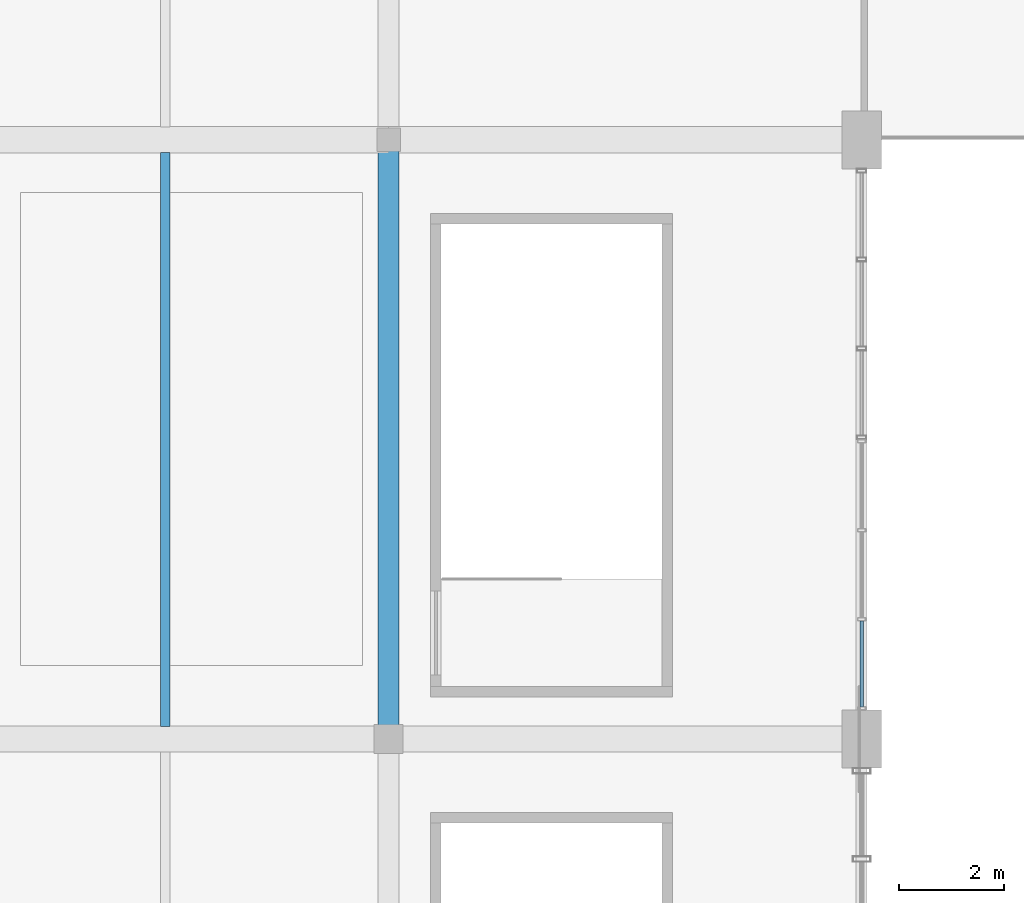
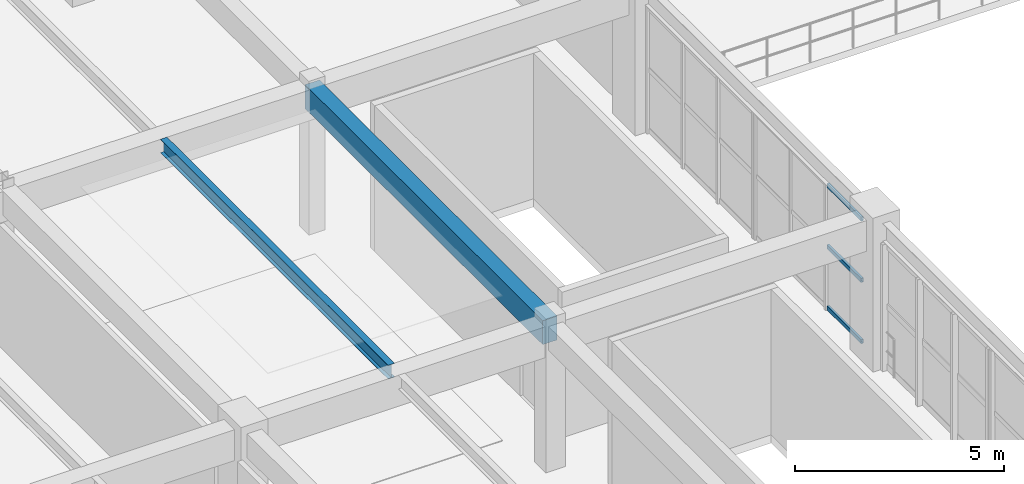
# One storey, part 24 of 80: 3 members, 2 beams, 1 element without a shape of its own.
"""IFC4 building model written with IfcOpenShell, lengths in metres."""

from ifc_helpers import new_model, si_unit, direction, frame, origin, origin_2d, place, context, subcontext, project, spatial, rectangle, hollow_rectangle, i_section, extrude, material, layer, layer_set, material_profile, profile_set, type_object, element, aggregate, save


model = new_model("IFC4")

# Units and contexts
model_context = context("Model", 3, precision=1e-05, world=origin(), true_north=direction((0.0, 1.0)))
body_context = subcontext(model_context, "Body", "Model", "MODEL_VIEW")
ifc_project = project(units=[si_unit("LENGTHUNIT", "METRE"), si_unit("AREAUNIT", "SQUARE_METRE"), si_unit("VOLUMEUNIT", "CUBIC_METRE"), si_unit("PLANEANGLEUNIT", "RADIAN"), si_unit("MASSUNIT", "GRAM", prefix="KILO"), si_unit("POWERUNIT", "WATT"), si_unit("THERMODYNAMICTEMPERATUREUNIT", "KELVIN")], contexts=[model_context])

# Site, building, storey
site_placement = place(None, origin())
site = spatial("IfcSite", under=ifc_project, at=site_placement, CompositionType="ELEMENT")
building_placement = place(site_placement, origin())
building = spatial("IfcBuilding", under=site, at=building_placement, Name="Kelmbourne Parkland Aquatics Centre", CompositionType="ELEMENT")
storey_placement = place(building_placement, frame((0.0, 0.0, 10.199951171875)))
storey = spatial("IfcBuildingStorey", under=building, at=storey_placement, Name="L02", CompositionType="ELEMENT", Elevation=10.199951171875)

# Beams
ifc_material_1 = material(Name="Concrete C40/50", Category="concrete")
ifc_material_profile_1 = material_profile(ifc_material_1, rectangle(XDim=0.39990234375, YDim=0.699951171875, at=origin_2d()), Name="RC 400x700")
ifc_profile_set_1 = profile_set([ifc_material_profile_1], Name="Concrete C40/50")
beam_type_1 = type_object("IfcBeamType", Name="BM-G05", PredefinedType="BEAM", material=ifc_profile_set_1)
beam_1_placement = place(storey_placement, frame((119.0, 23.60009765625, 3.91015625), z_axis=(0.0, 1.0, 0.0), x_axis=(-1.0, 0.0, 0.0)))
element("IfcBeam", 1, at=beam_1_placement, inside=storey, type_object=beam_type_1, Name="Primary girder 04-05 Grid O (L03)", PredefinedType="BEAM", context=body_context, shape_type="SweptSolid", body=[
    extrude(rectangle(XDim=0.39990234375, YDim=0.699951171875, at=origin_2d()), origin(), (0.0, 0.0, 1.0), 11.39990234375),
])
ifc_material_2 = material(Name="Structural steel AS/NZS 3679.1 Grade 300", Category="steel")
ifc_material_profile_2 = material_profile(ifc_material_2, i_section(OverallWidth=0.177978515625, OverallDepth=0.406005859375, WebThickness=0.0078125, FlangeThickness=0.0126953125, at=origin_2d()), Name="410UB59.7")
ifc_profile_set_2 = profile_set([ifc_material_profile_2], Name="Structural steel AS/NZS 3679.1 Grade 300")
beam_type_2 = type_object("IfcBeamType", Name="BM-J01", PredefinedType="JOIST", material=ifc_profile_set_2)
beam_2_placement = place(storey_placement, frame((114.75, 23.842041015625, 4.05712890625), z_axis=(0.0, 1.0, 0.0), x_axis=(-1.0, 0.0, 0.0)))
element("IfcBeam", 2, at=beam_2_placement, inside=storey, type_object=beam_type_2, Name="Secondary floor joist N-O/04-05 #1 (L03)", PredefinedType="JOIST", context=body_context, shape_type="SweptSolid", body=[
    extrude(i_section(OverallWidth=0.177978515625, OverallDepth=0.406005859375, WebThickness=0.0078125, FlangeThickness=0.0126953125, at=origin_2d()), origin(), (0.0, 0.0, 1.0), 10.916015625),
])

# Curtain wall, members
ifc_material_3 = material(Name="Thermally broken anodised aluminium framing", Category="aluminium")
ifc_layer = layer(ifc_material_3, 0.179931640625)
ifc_layer_set = layer_set([ifc_layer], Name="Thermally broken anodised aluminium framing")
curtain_wall_type = type_object("IfcCurtainWallType", Name="CW-18", PredefinedType="NOTDEFINED", material=ifc_layer_set)
curtain_wall_placement = place(storey_placement, origin())
curtain_wall = element("IfcCurtainWall", 3, at=curtain_wall_placement, inside=storey, type_object=curtain_wall_type, Name="Facade curtain wall CW-L02-210", PredefinedType="NOTDEFINED")
ifc_material_profile_3 = material_profile(ifc_material_3, hollow_rectangle(XDim=0.06494140625, YDim=0.1201171875, WallThickness=0.00341796875, at=origin_2d()), Name="CW-T 65x120")
ifc_profile_set_3 = profile_set([ifc_material_profile_3], Name="Thermally broken anodised aluminium framing")
member_type = type_object("IfcMemberType", Name="MB-TRN-1", PredefinedType="USERDEFINED", material=ifc_profile_set_3)
member_1_placement = place(storey_placement, frame((128.0, 24.212890625, 0.06298828125), z_axis=(0.0, 1.0, 0.0), x_axis=(-1.0, 0.0, 0.0)))
member_1 = element("IfcMember", 4, at=member_1_placement, type_object=member_type, Name="CW-L02-210 transom 0-0", ObjectType="TRANSOM", PredefinedType="USERDEFINED", context=body_context, shape_type="SweptSolid", body=[
    extrude(hollow_rectangle(XDim=0.06494140625, YDim=0.1201171875, WallThickness=0.00341796875, at=origin_2d()), origin(), (0.0, 0.0, 1.0), 1.637451171875),
])
member_2_placement = place(storey_placement, frame((128.0, 24.212890625, 1.85595703125), z_axis=(0.0, 1.0, 0.0), x_axis=(-1.0, 0.0, 0.0)))
member_2 = element("IfcMember", 5, at=member_2_placement, type_object=member_type, Name="CW-L02-210 transom 1-0", ObjectType="TRANSOM", PredefinedType="USERDEFINED", context=body_context, shape_type="SweptSolid", body=[
    extrude(hollow_rectangle(XDim=0.06494140625, YDim=0.1201171875, WallThickness=0.00341796875, at=origin_2d()), origin(), (0.0, 0.0, 1.0), 1.637451171875),
])
member_3_placement = place(storey_placement, frame((128.0, 24.212890625, 3.649169921875), z_axis=(0.0, 1.0, 0.0), x_axis=(-1.0, 0.0, 0.0)))
member_3 = element("IfcMember", 6, at=member_3_placement, type_object=member_type, Name="CW-L02-210 transom 2-0", ObjectType="TRANSOM", PredefinedType="USERDEFINED", context=body_context, shape_type="SweptSolid", body=[
    extrude(hollow_rectangle(XDim=0.06494140625, YDim=0.1201171875, WallThickness=0.00341796875, at=origin_2d()), origin(), (0.0, 0.0, 1.0), 1.637451171875),
])
aggregate(curtain_wall, [member_1, member_2, member_3])

save(model, "model.ifc")
